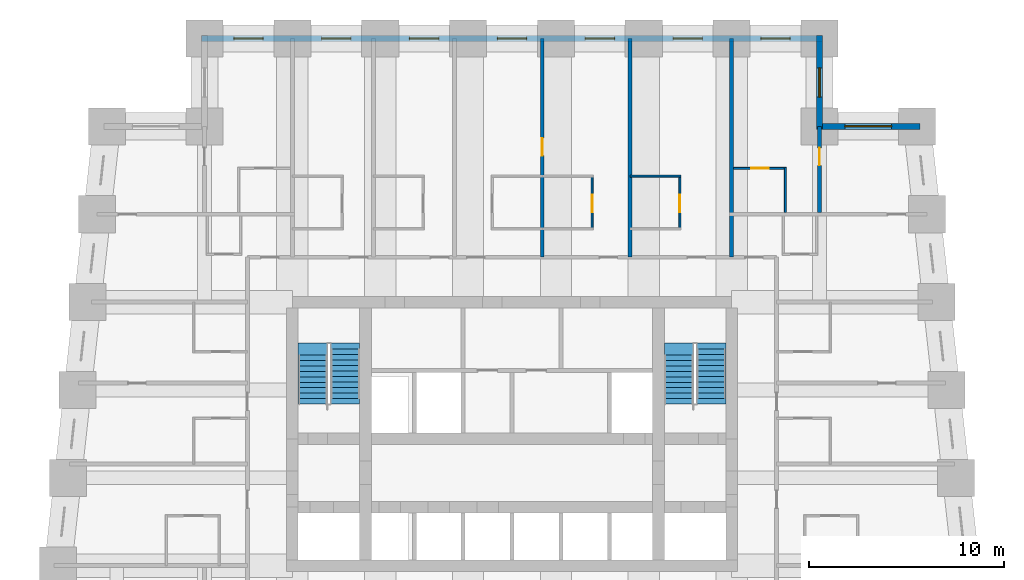
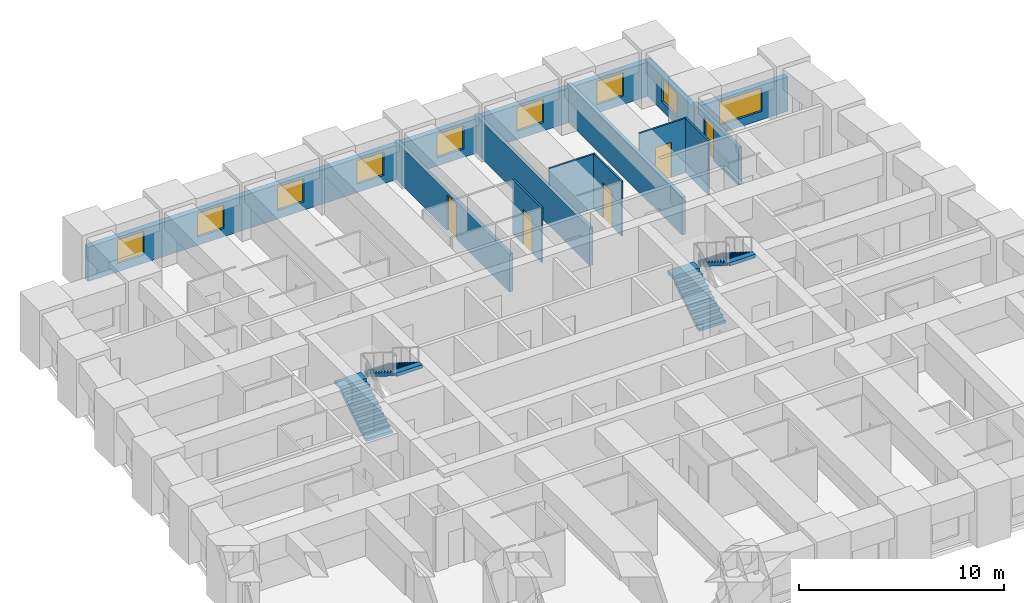
# One storey, part 7 of 8: 12 walls, 9 windows, 5 doors, 4 stair flights, 14 openings, 2 elements without a shape of their own.
"""IFC4 building model written with IfcOpenShell, lengths in metres."""

from ifc_helpers import new_model, si_unit, direction, frame, frame_2d, origin, place, context, subcontext, project, spatial, polyline, rectangle, outline, extrude, material, layer, layer_set, type_object, element, fill, aggregate, save


model = new_model("IFC4")

# Units and contexts
model_context = context("Model", 3, precision=1e-05, world=origin(), true_north=direction((0.0, 1.0)))
body_context = subcontext(model_context, "Body", "Model", "MODEL_VIEW")
ifc_project = project(units=[si_unit("LENGTHUNIT", "METRE"), si_unit("AREAUNIT", "SQUARE_METRE"), si_unit("VOLUMEUNIT", "CUBIC_METRE"), si_unit("PLANEANGLEUNIT", "RADIAN"), si_unit("MASSUNIT", "GRAM", prefix="KILO")], contexts=[model_context])

# Site, building, storey
site_placement = place(None, origin())
site = spatial("IfcSite", under=ifc_project, at=site_placement, CompositionType="ELEMENT")
building_placement = place(site_placement, origin())
building = spatial("IfcBuilding", under=site, at=building_placement, Name="Kilele Tower Hotel", CompositionType="ELEMENT")
storey_placement = place(building_placement, frame((0.0, 0.0, 47.199951171875)))
storey = spatial("IfcBuildingStorey", under=building, at=storey_placement, Name="L10", CompositionType="ELEMENT", Elevation=47.199951171875)

# Wall, opening, door
ifc_material_1 = material(Name="Moisture-resistant board")
ifc_layer_1 = layer(ifc_material_1, 0.10009765625)
ifc_layer_set_1 = layer_set([ifc_layer_1], Name="Moisture-resistant board")
wall_type_1 = type_object("IfcWallType", Name="Bathroom partition 100", PredefinedType="PLUMBINGWALL", material=ifc_layer_set_1)
wall_1_placement = place(storey_placement, frame((28.85009765625, 30.699951171875, 0.0), z_axis=(0.0, 0.0, 1.0), x_axis=(0.0, 1.0, 0.0)))
wall_1 = element("IfcWall", 1, at=wall_1_placement, inside=storey, type_object=wall_type_1, Name="Bathroom partition 100 L10", PredefinedType="PLUMBINGWALL", context=body_context, shape_type="SweptSolid", body=[
    extrude(rectangle(XDim=2.800048828125, YDim=0.10009765625, at=frame_2d((1.39990234375, 0.0))), origin(), (0.0, 0.0, 1.0), 3.25),
])
opening_1_placement = place(wall_1_placement, frame((1.7998046875, 0.0, 0.0), z_axis=(0.0, 0.0, 1.0), x_axis=(-1.0, 0.0, 0.0)))
opening_1 = element("IfcOpeningElement", 2, at=opening_1_placement, cuts=wall_1, Name="Opening D2A", PredefinedType="OPENING", context=body_context, shape_type="SweptSolid", body=[
    extrude(rectangle(XDim=0.89990234375, YDim=2.10009765625, at=frame_2d((0.449951171875, 1.050048828125))), frame((0.0, 0.06005859375, 0.0), z_axis=(0.0, -1.0, 0.0), x_axis=(1.0, 0.0, 0.0)), (0.0, 0.0, 1.0), 0.1201171875),
])
ifc_material_2 = material(Name="Timber door leaf in hardwood frame", Category="wood")
door_type_1 = type_object("IfcDoorType", Name="Bathroom door 900", OperationType="SINGLE_SWING_LEFT", PredefinedType="DOOR", material=ifc_material_2)
door_1_placement = place(opening_1_placement, origin())
door_1 = element("IfcDoor", 3, at=door_1_placement, inside=storey, type_object=door_type_1, Name="Bathroom door 1012B", OperationType="SINGLE_SWING_RIGHT", OverallHeight=2.10009765625, OverallWidth=0.89990234375, PredefinedType="DOOR", context=body_context, shape_type="SweptSolid", body=[
    extrude(rectangle(XDim=0.89990234375, YDim=2.10009765625, at=frame_2d((0.449951171875, 1.050048828125))), frame((0.0, 0.02490234375, 0.0), z_axis=(0.0, -1.0, 0.0), x_axis=(1.0, 0.0, 0.0)), (0.0, 0.0, 1.0), 0.050048828125),
])
fill(opening_1, door_1)

# Wall
wall_2_placement = place(storey_placement, frame((30.800048828125, 33.449951171875, 0.0), z_axis=(0.0, 0.0, 1.0), x_axis=(1.0, 0.0, 0.0)))
element("IfcWall", 4, at=wall_2_placement, inside=storey, type_object=wall_type_1, Name="Bathroom partition 100 L10", PredefinedType="PLUMBINGWALL", context=body_context, shape_type="SweptSolid", body=[
    extrude(rectangle(XDim=2.599853515625, YDim=0.10009765625, at=frame_2d((1.2998046875, 0.0))), origin(), (0.0, 0.0, 1.0), 3.25),
])

# Wall, opening, door
wall_3_placement = place(storey_placement, frame((33.35009765625, 30.699951171875, 0.0), z_axis=(0.0, 0.0, 1.0), x_axis=(0.0, 1.0, 0.0)))
wall_3 = element("IfcWall", 5, at=wall_3_placement, inside=storey, type_object=wall_type_1, Name="Bathroom partition 100 L10", PredefinedType="PLUMBINGWALL", context=body_context, shape_type="SweptSolid", body=[
    extrude(rectangle(XDim=2.800048828125, YDim=0.10009765625, at=frame_2d((1.39990234375, 0.0))), origin(), (0.0, 0.0, 1.0), 3.25),
])
opening_2_placement = place(wall_3_placement, frame((1.7998046875, 0.0, 0.0), z_axis=(0.0, 0.0, 1.0), x_axis=(-1.0, 0.0, 0.0)))
opening_2 = element("IfcOpeningElement", 6, at=opening_2_placement, cuts=wall_3, Name="Opening D2A", PredefinedType="OPENING", context=body_context, shape_type="SweptSolid", body=[
    extrude(rectangle(XDim=0.89990234375, YDim=2.10009765625, at=frame_2d((0.449951171875, 1.050048828125))), frame((0.0, 0.06005859375, 0.0), z_axis=(0.0, -1.0, 0.0), x_axis=(1.0, 0.0, 0.0)), (0.0, 0.0, 1.0), 0.1201171875),
])
door_2_placement = place(opening_2_placement, origin())
door_2 = element("IfcDoor", 7, at=door_2_placement, inside=storey, type_object=door_type_1, Name="Bathroom door 1013B", OperationType="SINGLE_SWING_RIGHT", OverallHeight=2.10009765625, OverallWidth=0.89990234375, PredefinedType="DOOR", context=body_context, shape_type="SweptSolid", body=[
    extrude(rectangle(XDim=0.89990234375, YDim=2.10009765625, at=frame_2d((0.449951171875, 1.050048828125))), frame((0.0, 0.02490234375, 0.0), z_axis=(0.0, -1.0, 0.0), x_axis=(1.0, 0.0, 0.0)), (0.0, 0.0, 1.0), 0.050048828125),
])
fill(opening_2, door_2)

# Wall
wall_4_placement = place(storey_placement, frame((38.75, 31.60009765625, 0.0), z_axis=(0.0, 0.0, 1.0), x_axis=(0.0, 1.0, 0.0)))
element("IfcWall", 8, at=wall_4_placement, inside=storey, type_object=wall_type_1, Name="Bathroom partition 100 L10", PredefinedType="PLUMBINGWALL", context=body_context, shape_type="SweptSolid", body=[
    extrude(rectangle(XDim=2.2998046875, YDim=0.10009765625, at=frame_2d((1.14990234375, 0.0))), origin(), (0.0, 0.0, 1.0), 3.25),
])

# Wall, opening, door
wall_5_placement = place(storey_placement, frame((36.10009765625, 33.85009765625, 0.0), z_axis=(0.0, 0.0, 1.0), x_axis=(1.0, 0.0, 0.0)))
wall_5 = element("IfcWall", 9, at=wall_5_placement, inside=storey, type_object=wall_type_1, Name="Bathroom partition 100 L10", PredefinedType="PLUMBINGWALL", context=body_context, shape_type="SweptSolid", body=[
    extrude(rectangle(XDim=2.699951171875, YDim=0.10009765625, at=frame_2d((1.35009765625, 0.0))), origin(), (0.0, 0.0, 1.0), 3.25),
])
opening_3_placement = place(wall_5_placement, frame((0.89990234375, 0.0, 0.0)))
opening_3 = element("IfcOpeningElement", 10, at=opening_3_placement, cuts=wall_5, Name="Opening D2A", PredefinedType="OPENING", context=body_context, shape_type="SweptSolid", body=[
    extrude(rectangle(XDim=0.89990234375, YDim=2.10009765625, at=frame_2d((0.449951171875, 1.050048828125))), frame((0.0, 0.06005859375, 0.0), z_axis=(0.0, -1.0, 0.0), x_axis=(1.0, 0.0, 0.0)), (0.0, 0.0, 1.0), 0.1201171875),
])
door_3_placement = place(opening_3_placement, origin())
door_3 = element("IfcDoor", 11, at=door_3_placement, inside=storey, type_object=door_type_1, Name="Bathroom door 1024B", OperationType="SINGLE_SWING_LEFT", OverallHeight=2.10009765625, OverallWidth=0.89990234375, PredefinedType="DOOR", context=body_context, shape_type="SweptSolid", body=[
    extrude(rectangle(XDim=0.89990234375, YDim=2.10009765625, at=frame_2d((0.449951171875, 1.050048828125))), frame((0.0, 0.02490234375, 0.0), z_axis=(0.0, -1.0, 0.0), x_axis=(1.0, 0.0, 0.0)), (0.0, 0.0, 1.0), 0.050048828125),
])
fill(opening_3, door_3)

ifc_material_3 = material(Name="Blockwork, plastered both sides", Category="masonry")
ifc_layer_2 = layer(ifc_material_3, 0.199951171875)
ifc_layer_set_2 = layer_set([ifc_layer_2], Name="Blockwork, plastered both sides")
wall_type_2 = type_object("IfcWallType", Name="Partition wall 200", PredefinedType="PARTITIONING", material=ifc_layer_set_2)
wall_6_placement = place(storey_placement, frame((40.5, 31.60009765625, 0.0), z_axis=(0.0, 0.0, 1.0), x_axis=(0.0, 1.0, 0.0)))
wall_6 = element("IfcWall", 12, at=wall_6_placement, inside=storey, type_object=wall_type_2, Name="Partition wall 200 L10", PredefinedType="PARTITIONING", context=body_context, shape_type="SweptSolid", body=[
    extrude(rectangle(XDim=4.39990234375, YDim=0.199951171875, at=frame_2d((2.199951171875, 0.0))), origin(), (0.0, 0.0, 1.0), 2.25),
])
opening_4_placement = place(wall_6_placement, frame((2.39990234375, 0.0, 0.0)))
opening_4 = element("IfcOpeningElement", 13, at=opening_4_placement, cuts=wall_6, Name="Opening D3", PredefinedType="OPENING", context=body_context, shape_type="SweptSolid", body=[
    extrude(rectangle(XDim=0.89990234375, YDim=2.10009765625, at=frame_2d((0.449951171875, 1.050048828125))), frame((0.0, 0.10986328125, 0.0), z_axis=(0.0, -1.0, 0.0), x_axis=(1.0, 0.0, 0.0)), (0.0, 0.0, 1.0), 0.219970703125),
])
ifc_material_4 = material(Name="Timber door leaf in hardwood frame", Category="wood")
door_type_2 = type_object("IfcDoorType", Name="Suite internal door 900", OperationType="SINGLE_SWING_LEFT", PredefinedType="DOOR", material=ifc_material_4)
door_4_placement = place(opening_4_placement, origin())
door_4 = element("IfcDoor", 14, at=door_4_placement, inside=storey, type_object=door_type_2, Name="Suite door 1025", OperationType="SINGLE_SWING_RIGHT", OverallHeight=2.10009765625, OverallWidth=0.89990234375, PredefinedType="DOOR", context=body_context, shape_type="SweptSolid", body=[
    extrude(rectangle(XDim=0.89990234375, YDim=2.10009765625, at=frame_2d((0.449951171875, 1.050048828125))), frame((0.0, 0.02490234375, 0.0), z_axis=(0.0, -1.0, 0.0), x_axis=(1.0, 0.0, 0.0)), (0.0, 0.0, 1.0), 0.050048828125),
])
fill(opening_4, door_4)

ifc_material_5 = material(Name="Blockwork, plastered both sides", Category="masonry")
ifc_layer_3 = layer(ifc_material_5, 0.199951171875)
ifc_layer_set_3 = layer_set([ifc_layer_3], Name="Blockwork, plastered both sides")
wall_type_3 = type_object("IfcWallType", Name="Party wall 200", PredefinedType="PARTITIONING", material=ifc_layer_set_3)
wall_7_placement = place(storey_placement, frame((26.300048828125, 29.300048828125, 0.0), z_axis=(0.0, 0.0, 1.0), x_axis=(0.0, 1.0, 0.0)))
wall_7 = element("IfcWall", 15, at=wall_7_placement, inside=storey, type_object=wall_type_3, Name="Party wall 200 L10", PredefinedType="PARTITIONING", context=body_context, shape_type="SweptSolid", body=[
    extrude(rectangle(XDim=11.199951171875, YDim=0.199951171875, at=frame_2d((5.60009765625, 0.0))), origin(), (0.0, 0.0, 1.0), 2.25),
])
opening_5_placement = place(wall_7_placement, frame((5.199951171875, 0.0, 0.0)))
opening_5 = element("IfcOpeningElement", 16, at=opening_5_placement, cuts=wall_7, Name="Opening D3C", PredefinedType="OPENING", context=body_context, shape_type="SweptSolid", body=[
    extrude(rectangle(XDim=0.89990234375, YDim=2.10009765625, at=frame_2d((0.449951171875, 1.050048828125))), frame((0.0, 0.10986328125, 0.0), z_axis=(0.0, -1.0, 0.0), x_axis=(1.0, 0.0, 0.0)), (0.0, 0.0, 1.0), 0.219970703125),
])
ifc_material_6 = material(Name="Timber door leaf in hardwood frame", Category="wood")
door_type_3 = type_object("IfcDoorType", Name="Connecting door 900", OperationType="SINGLE_SWING_LEFT", PredefinedType="DOOR", material=ifc_material_6)
door_5_placement = place(opening_5_placement, origin())
door_5 = element("IfcDoor", 17, at=door_5_placement, inside=storey, type_object=door_type_3, Name="Connecting door 1012", OperationType="SINGLE_SWING_LEFT", OverallHeight=2.10009765625, OverallWidth=0.89990234375, PredefinedType="DOOR", context=body_context, shape_type="SweptSolid", body=[
    extrude(rectangle(XDim=0.89990234375, YDim=2.10009765625, at=frame_2d((0.449951171875, 1.050048828125))), frame((0.0, 0.02490234375, 0.0), z_axis=(0.0, -1.0, 0.0), x_axis=(1.0, 0.0, 0.0)), (0.0, 0.0, 1.0), 0.050048828125),
])
fill(opening_5, door_5)

# Walls
for number, where, z_axis, x_axis, name in (
    (18, (30.800048828125, 29.300048828125, 0.0), (0.0, 0.0, 1.0), (0.0, 1.0, 0.0), "Party wall 200 L10"),
    (19, (36.0, 29.300048828125, 0.0), (0.0, 0.0, 1.0), (0.0, 1.0, 0.0), "Party wall 200 L10"),
):
    element("IfcWall", number, at=place(storey_placement, frame(where, z_axis=z_axis, x_axis=x_axis)), inside=storey, type_object=wall_type_3, Name=name, PredefinedType="PARTITIONING", context=body_context, shape_type="SweptSolid", body=[
        extrude(rectangle(XDim=11.199951171875, YDim=0.199951171875, at=frame_2d((5.60009765625, 0.0))), origin(), (0.0, 0.0, 1.0), 2.25),
    ])

# Wall, opening, window
ifc_material_7 = material(Name="Concrete C40/50 precast", Category="concrete")
ifc_layer_4 = layer(ifc_material_7, 0.260009765625, Name="Precast backing", Category="LoadBearing")
ifc_material_8 = material(Name="Reconstituted stone finish", Category="masonry")
ifc_layer_5 = layer(ifc_material_8, 0.0400390625, Name="Face mix", Category="Finish")
ifc_layer_set_4 = layer_set([ifc_layer_4, ifc_layer_5], Name="Precast concrete C40/50, reconstituted stone finish")
wall_type_4 = type_object("IfcWallType", Name="Precast stone facade wall 300", PredefinedType="STANDARD", material=ifc_layer_set_4)
wall_8_placement = place(storey_placement, frame((45.64990234375, 36.0, 0.0), z_axis=(0.0, 0.0, 1.0), x_axis=(-1.0, 0.0, 0.0)))
wall_8 = element("IfcWall", 20, at=wall_8_placement, inside=storey, type_object=wall_type_4, Name="Facade wall L10 edge 7", PredefinedType="STANDARD", context=body_context, shape_type="SweptSolid", body=[
    extrude(rectangle(XDim=5.2998046875, YDim=0.300048828125, at=frame_2d((2.64990234375, 0.0))), origin(), (0.0, 0.0, 1.0), 2.050048828125),
])
opening_6_placement = place(wall_8_placement, frame((1.449951171875, 0.0, 0.5)))
opening_6 = element("IfcOpeningElement", 21, at=opening_6_placement, cuts=wall_8, Name="Opening W1", PredefinedType="OPENING", context=body_context, shape_type="SweptSolid", body=[
    extrude(rectangle(XDim=2.39990234375, YDim=1.39990234375, at=frame_2d((1.199951171875, 0.699951171875))), frame((0.0, 0.159912109375, 0.0), z_axis=(0.0, -1.0, 0.0), x_axis=(1.0, 0.0, 0.0)), (0.0, 0.0, 1.0), 0.320068359375),
])
ifc_material_9 = material(Name="Aluminium frame, clear double glazing", Category="aluminium")
window_type_1 = type_object("IfcWindowType", Name="Window W1 2400 x 1400", PartitioningType="SINGLE_PANEL", PredefinedType="WINDOW", material=ifc_material_9)
window_1_placement = place(opening_6_placement, origin())
window_1 = element("IfcWindow", 22, at=window_1_placement, inside=storey, type_object=window_type_1, Name="Window L10", OverallHeight=1.39990234375, OverallWidth=2.39990234375, PartitioningType="SINGLE_PANEL", PredefinedType="WINDOW", context=body_context, shape_type="SweptSolid", body=[
    extrude(rectangle(XDim=2.39990234375, YDim=1.39990234375, at=frame_2d((1.199951171875, 0.699951171875))), frame((0.0, 0.030029296875, 0.0), z_axis=(0.0, -1.0, 0.0), x_axis=(1.0, 0.0, 0.0)), (0.0, 0.0, 1.0), 0.06005859375),
])
fill(opening_6, window_1)

wall_9_placement = place(storey_placement, frame((40.5, 35.85009765625, 0.0), z_axis=(0.0, 0.0, 1.0), x_axis=(0.0, 1.0, 0.0)))
wall_9 = element("IfcWall", 23, at=wall_9_placement, inside=storey, type_object=wall_type_4, Name="Facade wall L10 edge 8", PredefinedType="STANDARD", context=body_context, shape_type="SweptSolid", body=[
    extrude(rectangle(XDim=4.7998046875, YDim=0.300048828125, at=frame_2d((2.39990234375, 0.0))), origin(), (0.0, 0.0, 1.0), 2.050048828125),
])
opening_7_placement = place(wall_9_placement, frame((1.64990234375, 0.0, 0.5)))
opening_7 = element("IfcOpeningElement", 24, at=opening_7_placement, cuts=wall_9, Name="Opening W1", PredefinedType="OPENING", context=body_context, shape_type="SweptSolid", body=[
    extrude(rectangle(XDim=1.5, YDim=1.39990234375, at=frame_2d((0.75, 0.699951171875))), frame((0.0, 0.159912109375, 0.0), z_axis=(0.0, -1.0, 0.0), x_axis=(1.0, 0.0, 0.0)), (0.0, 0.0, 1.0), 0.320068359375),
])
ifc_material_10 = material(Name="Aluminium frame, clear double glazing", Category="aluminium")
window_type_2 = type_object("IfcWindowType", Name="Window W1 1500 x 1400", PartitioningType="SINGLE_PANEL", PredefinedType="WINDOW", material=ifc_material_10)
window_2_placement = place(opening_7_placement, origin())
window_2 = element("IfcWindow", 25, at=window_2_placement, inside=storey, type_object=window_type_2, Name="Window L10", OverallHeight=1.39990234375, OverallWidth=1.5, PartitioningType="SINGLE_PANEL", PredefinedType="WINDOW", context=body_context, shape_type="SweptSolid", body=[
    extrude(rectangle(XDim=1.5, YDim=1.39990234375, at=frame_2d((0.75, 0.699951171875))), frame((0.0, 0.030029296875, 0.0), z_axis=(0.0, -1.0, 0.0), x_axis=(1.0, 0.0, 0.0)), (0.0, 0.0, 1.0), 0.06005859375),
])
fill(opening_7, window_2)

# Wall, openings, windows
wall_10_placement = place(storey_placement, frame((40.64990234375, 40.5, 0.0), z_axis=(0.0, 0.0, 1.0), x_axis=(-1.0, 0.0, 0.0)))
wall_10 = element("IfcWall", 26, at=wall_10_placement, inside=storey, type_object=wall_type_4, Name="Facade wall L10 edge 9", PredefinedType="STANDARD", context=body_context, shape_type="SweptSolid", body=[
    extrude(rectangle(XDim=31.7998046875, YDim=0.300048828125, at=frame_2d((15.89990234375, 0.0))), origin(), (0.0, 0.0, 1.0), 2.050048828125),
])
opening_8_placement = place(wall_10_placement, frame((1.64990234375, 0.0, 0.5)))
opening_8 = element("IfcOpeningElement", 27, at=opening_8_placement, cuts=wall_10, Name="Opening W1", PredefinedType="OPENING", context=body_context, shape_type="SweptSolid", body=[
    extrude(rectangle(XDim=1.5, YDim=1.39990234375, at=frame_2d((0.75, 0.699951171875))), frame((0.0, 0.159912109375, 0.0), z_axis=(0.0, -1.0, 0.0), x_axis=(1.0, 0.0, 0.0)), (0.0, 0.0, 1.0), 0.320068359375),
])
opening_9_placement = place(wall_10_placement, frame((6.14990234375, 0.0, 0.5)))
opening_9 = element("IfcOpeningElement", 28, at=opening_9_placement, cuts=wall_10, Name="Opening W1", PredefinedType="OPENING", context=body_context, shape_type="SweptSolid", body=[
    extrude(rectangle(XDim=1.5, YDim=1.39990234375, at=frame_2d((0.75, 0.699951171875))), frame((0.0, 0.159912109375, 0.0), z_axis=(0.0, -1.0, 0.0), x_axis=(1.0, 0.0, 0.0)), (0.0, 0.0, 1.0), 0.320068359375),
])
opening_10_placement = place(wall_10_placement, frame((10.64990234375, 0.0, 0.5)))
opening_10 = element("IfcOpeningElement", 29, at=opening_10_placement, cuts=wall_10, Name="Opening W1", PredefinedType="OPENING", context=body_context, shape_type="SweptSolid", body=[
    extrude(rectangle(XDim=1.5, YDim=1.39990234375, at=frame_2d((0.75, 0.699951171875))), frame((0.0, 0.159912109375, 0.0), z_axis=(0.0, -1.0, 0.0), x_axis=(1.0, 0.0, 0.0)), (0.0, 0.0, 1.0), 0.320068359375),
])
opening_11_placement = place(wall_10_placement, frame((15.14990234375, 0.0, 0.5)))
opening_11 = element("IfcOpeningElement", 30, at=opening_11_placement, cuts=wall_10, Name="Opening W1", PredefinedType="OPENING", context=body_context, shape_type="SweptSolid", body=[
    extrude(rectangle(XDim=1.5, YDim=1.39990234375, at=frame_2d((0.75, 0.699951171875))), frame((0.0, 0.159912109375, 0.0), z_axis=(0.0, -1.0, 0.0), x_axis=(1.0, 0.0, 0.0)), (0.0, 0.0, 1.0), 0.320068359375),
])
opening_12_placement = place(wall_10_placement, frame((19.64990234375, 0.0, 0.5)))
opening_12 = element("IfcOpeningElement", 31, at=opening_12_placement, cuts=wall_10, Name="Opening W1", PredefinedType="OPENING", context=body_context, shape_type="SweptSolid", body=[
    extrude(rectangle(XDim=1.5, YDim=1.39990234375, at=frame_2d((0.75, 0.699951171875))), frame((0.0, 0.159912109375, 0.0), z_axis=(0.0, -1.0, 0.0), x_axis=(1.0, 0.0, 0.0)), (0.0, 0.0, 1.0), 0.320068359375),
])
opening_13_placement = place(wall_10_placement, frame((24.14990234375, 0.0, 0.5)))
opening_13 = element("IfcOpeningElement", 32, at=opening_13_placement, cuts=wall_10, Name="Opening W1", PredefinedType="OPENING", context=body_context, shape_type="SweptSolid", body=[
    extrude(rectangle(XDim=1.5, YDim=1.39990234375, at=frame_2d((0.75, 0.699951171875))), frame((0.0, 0.159912109375, 0.0), z_axis=(0.0, -1.0, 0.0), x_axis=(1.0, 0.0, 0.0)), (0.0, 0.0, 1.0), 0.320068359375),
])
opening_14_placement = place(wall_10_placement, frame((28.64990234375, 0.0, 0.5)))
opening_14 = element("IfcOpeningElement", 33, at=opening_14_placement, cuts=wall_10, Name="Opening W1", PredefinedType="OPENING", context=body_context, shape_type="SweptSolid", body=[
    extrude(rectangle(XDim=1.5, YDim=1.39990234375, at=frame_2d((0.75, 0.699951171875))), frame((0.0, 0.159912109375, 0.0), z_axis=(0.0, -1.0, 0.0), x_axis=(1.0, 0.0, 0.0)), (0.0, 0.0, 1.0), 0.320068359375),
])
window_3_placement = place(opening_8_placement, origin())
window_3 = element("IfcWindow", 34, at=window_3_placement, inside=storey, type_object=window_type_2, Name="Window L10", OverallHeight=1.39990234375, OverallWidth=1.5, PartitioningType="SINGLE_PANEL", PredefinedType="WINDOW", context=body_context, shape_type="SweptSolid", body=[
    extrude(rectangle(XDim=1.5, YDim=1.39990234375, at=frame_2d((0.75, 0.699951171875))), frame((0.0, 0.030029296875, 0.0), z_axis=(0.0, -1.0, 0.0), x_axis=(1.0, 0.0, 0.0)), (0.0, 0.0, 1.0), 0.06005859375),
])
fill(opening_8, window_3)
window_4_placement = place(opening_9_placement, origin())
window_4 = element("IfcWindow", 35, at=window_4_placement, inside=storey, type_object=window_type_2, Name="Window L10", OverallHeight=1.39990234375, OverallWidth=1.5, PartitioningType="SINGLE_PANEL", PredefinedType="WINDOW", context=body_context, shape_type="SweptSolid", body=[
    extrude(rectangle(XDim=1.5, YDim=1.39990234375, at=frame_2d((0.75, 0.699951171875))), frame((0.0, 0.030029296875, 0.0), z_axis=(0.0, -1.0, 0.0), x_axis=(1.0, 0.0, 0.0)), (0.0, 0.0, 1.0), 0.06005859375),
])
fill(opening_9, window_4)
window_5_placement = place(opening_10_placement, origin())
window_5 = element("IfcWindow", 36, at=window_5_placement, inside=storey, type_object=window_type_2, Name="Window L10", OverallHeight=1.39990234375, OverallWidth=1.5, PartitioningType="SINGLE_PANEL", PredefinedType="WINDOW", context=body_context, shape_type="SweptSolid", body=[
    extrude(rectangle(XDim=1.5, YDim=1.39990234375, at=frame_2d((0.75, 0.699951171875))), frame((0.0, 0.030029296875, 0.0), z_axis=(0.0, -1.0, 0.0), x_axis=(1.0, 0.0, 0.0)), (0.0, 0.0, 1.0), 0.06005859375),
])
fill(opening_10, window_5)
window_6_placement = place(opening_11_placement, origin())
window_6 = element("IfcWindow", 37, at=window_6_placement, inside=storey, type_object=window_type_2, Name="Window L10", OverallHeight=1.39990234375, OverallWidth=1.5, PartitioningType="SINGLE_PANEL", PredefinedType="WINDOW", context=body_context, shape_type="SweptSolid", body=[
    extrude(rectangle(XDim=1.5, YDim=1.39990234375, at=frame_2d((0.75, 0.699951171875))), frame((0.0, 0.030029296875, 0.0), z_axis=(0.0, -1.0, 0.0), x_axis=(1.0, 0.0, 0.0)), (0.0, 0.0, 1.0), 0.06005859375),
])
fill(opening_11, window_6)
window_7_placement = place(opening_12_placement, origin())
window_7 = element("IfcWindow", 38, at=window_7_placement, inside=storey, type_object=window_type_2, Name="Window L10", OverallHeight=1.39990234375, OverallWidth=1.5, PartitioningType="SINGLE_PANEL", PredefinedType="WINDOW", context=body_context, shape_type="SweptSolid", body=[
    extrude(rectangle(XDim=1.5, YDim=1.39990234375, at=frame_2d((0.75, 0.699951171875))), frame((0.0, 0.030029296875, 0.0), z_axis=(0.0, -1.0, 0.0), x_axis=(1.0, 0.0, 0.0)), (0.0, 0.0, 1.0), 0.06005859375),
])
fill(opening_12, window_7)
window_8_placement = place(opening_13_placement, origin())
window_8 = element("IfcWindow", 39, at=window_8_placement, inside=storey, type_object=window_type_2, Name="Window L10", OverallHeight=1.39990234375, OverallWidth=1.5, PartitioningType="SINGLE_PANEL", PredefinedType="WINDOW", context=body_context, shape_type="SweptSolid", body=[
    extrude(rectangle(XDim=1.5, YDim=1.39990234375, at=frame_2d((0.75, 0.699951171875))), frame((0.0, 0.030029296875, 0.0), z_axis=(0.0, -1.0, 0.0), x_axis=(1.0, 0.0, 0.0)), (0.0, 0.0, 1.0), 0.06005859375),
])
fill(opening_13, window_8)
window_9_placement = place(opening_14_placement, origin())
window_9 = element("IfcWindow", 40, at=window_9_placement, inside=storey, type_object=window_type_2, Name="Window L10", OverallHeight=1.39990234375, OverallWidth=1.5, PartitioningType="SINGLE_PANEL", PredefinedType="WINDOW", context=body_context, shape_type="SweptSolid", body=[
    extrude(rectangle(XDim=1.5, YDim=1.39990234375, at=frame_2d((0.75, 0.699951171875))), frame((0.0, 0.030029296875, 0.0), z_axis=(0.0, -1.0, 0.0), x_axis=(1.0, 0.0, 0.0)), (0.0, 0.0, 1.0), 0.06005859375),
])
fill(opening_14, window_9)

# Stair, stair flights
ifc_material_11 = material(Name="Precast concrete C40/50", Category="concrete")
stair_type = type_object("IfcStairType", Name="Stair 1475 x 3500", PredefinedType="HALF_TURN_STAIR", material=ifc_material_11)
stair_1_placement = place(storey_placement, origin())
stair_1 = element("IfcStair", 41, at=stair_1_placement, inside=storey, type_object=stair_type, Name="Stair 1 L10", PredefinedType="HALF_TURN_STAIR")
ifc_material_12 = material(Name="Precast concrete C40/50", Category="concrete")
stair_flight_type = type_object("IfcStairFlightType", Name="Flight 1475 riser 175.0", PredefinedType="STRAIGHT", material=ifc_material_12)
stair_flight_1_placement = place(storey_placement, frame((14.53759765625, 21.77490234375, 0.0), z_axis=(0.0, 0.0, 1.0), x_axis=(0.0, 1.0, 0.0)))
stair_flight_1 = element("IfcStairFlight", 42, at=stair_flight_1_placement, type_object=stair_flight_type, Name="ST1 flight 1", NumberOfRisers=10, NumberOfTreads=9, PredefinedType="STRAIGHT", RiserHeight=0.175, TreadLength=0.28, context=body_context, shape_type="SweptSolid", body=[
    extrude(outline(polyline([(0.0, 0.0), (0.0, 0.175048828125), (0.280029296875, 0.175048828125), (0.280029296875, 0.35009765625), (0.56005859375, 0.35009765625), (0.56005859375, 0.52490234375), (0.840087890625, 0.52490234375), (0.840087890625, 0.699951171875), (1.1201171875, 0.699951171875), (1.1201171875, 0.875), (1.39990234375, 0.875), (1.39990234375, 1.050048828125), (1.679931640625, 1.050048828125), (1.679931640625, 1.22509765625), (1.9599609375, 1.22509765625), (1.9599609375, 1.39990234375), (2.239990234375, 1.39990234375), (2.239990234375, 1.574951171875), (2.52001953125, 1.574951171875), (2.52001953125, 1.75), (2.52001953125, 1.398193359375), (0.28271484375, 0.0), (0.0, 0.0)])), frame((0.0, 0.737548828125, 0.0), z_axis=(0.0, -1.0, 0.0), x_axis=(1.0, 0.0, 0.0)), (0.0, 0.0, 1.0), 1.47509765625),
    extrude(outline(polyline([(2.52001953125, 0.737548828125), (2.52001953125, -0.7373046875), (3.1201171875, -0.7373046875), (3.1201171875, 0.737548828125), (2.52001953125, 0.737548828125)])), frame((0.0, 0.0, 1.550048828125)), (0.0, 0.0, 1.0), 0.199951171875),
])
stair_flight_2_placement = place(storey_placement, frame((16.21240234375, 24.594970703125, 1.75), z_axis=(0.0, 0.0, 1.0), x_axis=(0.0, -1.0, 0.0)))
stair_flight_2 = element("IfcStairFlight", 43, at=stair_flight_2_placement, type_object=stair_flight_type, Name="ST1 flight 2", NumberOfRisers=10, NumberOfTreads=9, PredefinedType="STRAIGHT", RiserHeight=0.175, TreadLength=0.28, context=body_context, shape_type="SweptSolid", body=[
    extrude(outline(polyline([(0.0, 0.0), (0.0, 0.175048828125), (0.280029296875, 0.175048828125), (0.280029296875, 0.35009765625), (0.56005859375, 0.35009765625), (0.56005859375, 0.52490234375), (0.840087890625, 0.52490234375), (0.840087890625, 0.699951171875), (1.1201171875, 0.699951171875), (1.1201171875, 0.875), (1.39990234375, 0.875), (1.39990234375, 1.050048828125), (1.679931640625, 1.050048828125), (1.679931640625, 1.22509765625), (1.9599609375, 1.22509765625), (1.9599609375, 1.39990234375), (2.239990234375, 1.39990234375), (2.239990234375, 1.574951171875), (2.52001953125, 1.574951171875), (2.52001953125, 1.75), (2.52001953125, 1.398193359375), (0.28271484375, 0.0), (0.0, 0.0)])), frame((0.0, 0.737548828125, 0.0), z_axis=(0.0, -1.0, 0.0), x_axis=(1.0, 0.0, 0.0)), (0.0, 0.0, 1.0), 1.47509765625),
    extrude(outline(polyline([(0.0, -0.7373046875), (0.0, 0.737548828125), (-0.300048828125, 0.737548828125), (-0.300048828125, -0.7373046875), (0.0, -0.7373046875)])), frame((0.0, 0.0, -0.199951171875)), (0.0, 0.0, 1.0), 0.199951171875),
    extrude(outline(polyline([(2.820068359375, -0.7373046875), (2.820068359375, 0.737548828125), (2.52001953125, 0.737548828125), (2.52001953125, -0.7373046875), (2.820068359375, -0.7373046875)])), frame((0.0, 0.0, 1.550048828125)), (0.0, 0.0, 1.0), 0.199951171875),
])
aggregate(stair_1, [stair_flight_1, stair_flight_2])

stair_2_placement = place(storey_placement, origin())
stair_2 = element("IfcStair", 44, at=stair_2_placement, inside=storey, type_object=stair_type, Name="Stair 2 L10", PredefinedType="HALF_TURN_STAIR")
stair_flight_3_placement = place(storey_placement, frame((33.28759765625, 21.77490234375, 0.0), z_axis=(0.0, 0.0, 1.0), x_axis=(0.0, 1.0, 0.0)))
stair_flight_3 = element("IfcStairFlight", 45, at=stair_flight_3_placement, type_object=stair_flight_type, Name="ST2 flight 1", NumberOfRisers=10, NumberOfTreads=9, PredefinedType="STRAIGHT", RiserHeight=0.175, TreadLength=0.28, context=body_context, shape_type="SweptSolid", body=[
    extrude(outline(polyline([(0.0, 0.0), (0.0, 0.175048828125), (0.280029296875, 0.175048828125), (0.280029296875, 0.35009765625), (0.56005859375, 0.35009765625), (0.56005859375, 0.52490234375), (0.840087890625, 0.52490234375), (0.840087890625, 0.699951171875), (1.1201171875, 0.699951171875), (1.1201171875, 0.875), (1.39990234375, 0.875), (1.39990234375, 1.050048828125), (1.679931640625, 1.050048828125), (1.679931640625, 1.22509765625), (1.9599609375, 1.22509765625), (1.9599609375, 1.39990234375), (2.239990234375, 1.39990234375), (2.239990234375, 1.574951171875), (2.52001953125, 1.574951171875), (2.52001953125, 1.75), (2.52001953125, 1.398193359375), (0.28271484375, 0.0), (0.0, 0.0)])), frame((0.0, 0.737548828125, 0.0), z_axis=(0.0, -1.0, 0.0), x_axis=(1.0, 0.0, 0.0)), (0.0, 0.0, 1.0), 1.47509765625),
    extrude(outline(polyline([(2.52001953125, 0.737548828125), (2.52001953125, -0.7373046875), (3.1201171875, -0.7373046875), (3.1201171875, 0.737548828125), (2.52001953125, 0.737548828125)])), frame((0.0, 0.0, 1.550048828125)), (0.0, 0.0, 1.0), 0.199951171875),
])
stair_flight_4_placement = place(storey_placement, frame((34.96240234375, 24.594970703125, 1.75), z_axis=(0.0, 0.0, 1.0), x_axis=(0.0, -1.0, 0.0)))
stair_flight_4 = element("IfcStairFlight", 46, at=stair_flight_4_placement, type_object=stair_flight_type, Name="ST2 flight 2", NumberOfRisers=10, NumberOfTreads=9, PredefinedType="STRAIGHT", RiserHeight=0.175, TreadLength=0.28, context=body_context, shape_type="SweptSolid", body=[
    extrude(outline(polyline([(0.0, 0.0), (0.0, 0.175048828125), (0.280029296875, 0.175048828125), (0.280029296875, 0.35009765625), (0.56005859375, 0.35009765625), (0.56005859375, 0.52490234375), (0.840087890625, 0.52490234375), (0.840087890625, 0.699951171875), (1.1201171875, 0.699951171875), (1.1201171875, 0.875), (1.39990234375, 0.875), (1.39990234375, 1.050048828125), (1.679931640625, 1.050048828125), (1.679931640625, 1.22509765625), (1.9599609375, 1.22509765625), (1.9599609375, 1.39990234375), (2.239990234375, 1.39990234375), (2.239990234375, 1.574951171875), (2.52001953125, 1.574951171875), (2.52001953125, 1.75), (2.52001953125, 1.398193359375), (0.28271484375, 0.0), (0.0, 0.0)])), frame((0.0, 0.737548828125, 0.0), z_axis=(0.0, -1.0, 0.0), x_axis=(1.0, 0.0, 0.0)), (0.0, 0.0, 1.0), 1.47509765625),
    extrude(outline(polyline([(0.0, -0.7373046875), (0.0, 0.737548828125), (-0.300048828125, 0.737548828125), (-0.300048828125, -0.7373046875), (0.0, -0.7373046875)])), frame((0.0, 0.0, -0.199951171875)), (0.0, 0.0, 1.0), 0.199951171875),
    extrude(outline(polyline([(2.820068359375, -0.7373046875), (2.820068359375, 0.737548828125), (2.52001953125, 0.737548828125), (2.52001953125, -0.7373046875), (2.820068359375, -0.7373046875)])), frame((0.0, 0.0, 1.550048828125)), (0.0, 0.0, 1.0), 0.199951171875),
])
aggregate(stair_2, [stair_flight_3, stair_flight_4])

save(model, "model.ifc")
